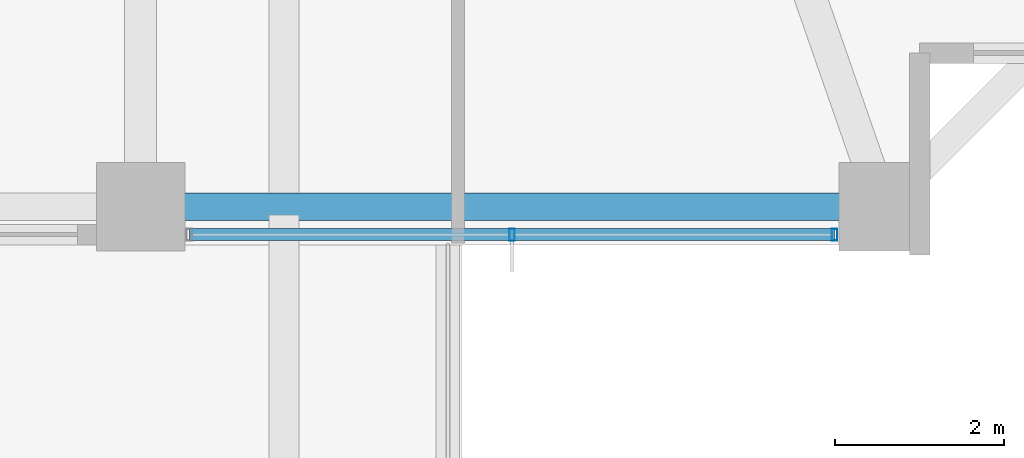
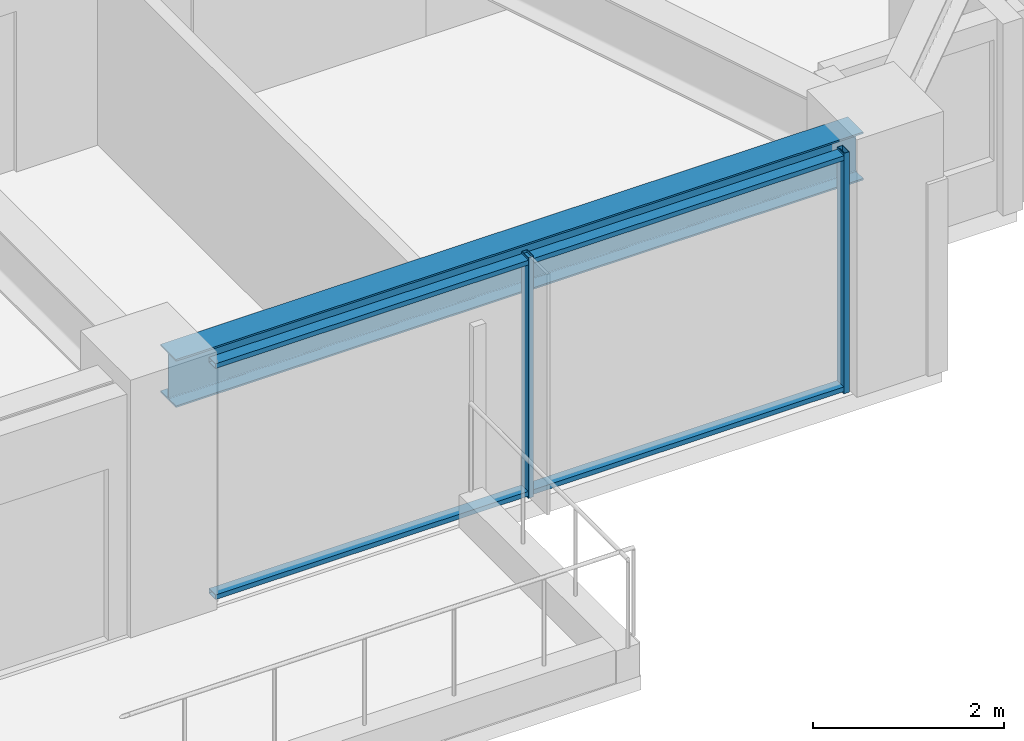
# One storey, part 10 of 38: 4 members, 1 beam, 1 element without a shape of its own.
"""IFC4 building model written with IfcOpenShell, lengths in metres."""

from ifc_helpers import new_model, si_unit, direction, frame, origin, origin_2d, place, context, subcontext, project, spatial, hollow_rectangle, i_section, extrude, material, material_profile, profile_set, type_object, element, aggregate, save


model = new_model("IFC4")

# Units and contexts
model_context = context("Model", 3, precision=1e-05, world=origin(), true_north=direction((0.0, 1.0)))
body_context = subcontext(model_context, "Body", "Model", "MODEL_VIEW")
ifc_project = project(units=[si_unit("LENGTHUNIT", "METRE"), si_unit("AREAUNIT", "SQUARE_METRE"), si_unit("VOLUMEUNIT", "CUBIC_METRE"), si_unit("PLANEANGLEUNIT", "RADIAN"), si_unit("MASSUNIT", "GRAM", prefix="KILO")], contexts=[model_context])

# Site, building, storey
site_placement = place(None, origin())
site = spatial("IfcSite", under=ifc_project, at=site_placement, CompositionType="ELEMENT")
building_placement = place(site_placement, origin())
building = spatial("IfcBuilding", under=site, at=building_placement, Name="Kolvaren Belvedere", CompositionType="ELEMENT")
storey_placement = place(building_placement, frame((0.0, 0.0, 101.89990234375)))
storey = spatial("IfcBuildingStorey", under=building, at=storey_placement, Name="L29", CompositionType="ELEMENT", Elevation=101.89990234375)

# Beam
ifc_material_1 = material(Name="Structural steel ASTM A992 Grade 50", Category="steel")
ifc_material_profile_1 = material_profile(ifc_material_1, i_section(OverallWidth=0.324951171875, OverallDepth=0.615966796875, WebThickness=0.013916015625, FlangeThickness=0.021484375, FilletRadius=0.02001953125, at=origin_2d()), Name="W24X117")
ifc_profile_set_1 = profile_set([ifc_material_profile_1], Name="Structural steel ASTM A992 Grade 50")
beam_type = type_object("IfcBeamType", Name="BM-SPAN-W24X117", PredefinedType="SPANDREL", material=ifc_profile_set_1)
beam_placement = place(storey_placement, frame((4.836181640625, -19.949951171875, 2.772216796875), z_axis=(1.0, 0.0, 0.0), x_axis=(0.0, 1.0, 0.0)))
element("IfcBeam", 1, at=beam_placement, inside=storey, type_object=beam_type, Name="L29 Perimeter Spandrel S3-S4", PredefinedType="SPANDREL", context=body_context, shape_type="SweptSolid", body=[
    extrude(i_section(OverallWidth=0.324951171875, OverallDepth=0.615966796875, WebThickness=0.013916015625, FlangeThickness=0.021484375, FilletRadius=0.02001953125, at=origin_2d()), origin(), (0.0, 0.0, 1.0), 8.32763671875),
])

# Curtain wall, members
ifc_material_2 = material(Name="Anodised pale-metal aluminium AA 6063-T6", Category="aluminium")
curtain_wall_type = type_object("IfcCurtainWallType", Name="CW-Z2-MID", PredefinedType="NOTDEFINED", material=ifc_material_2)
curtain_wall_placement = place(storey_placement, origin())
curtain_wall = element("IfcCurtainWall", 2, at=curtain_wall_placement, inside=storey, type_object=curtain_wall_type, Name="L29 Unitised Curtain Wall FCW-L29-S1", PredefinedType="NOTDEFINED")
ifc_material_3 = material(Name="Anodised pale-metal aluminium AA 6063-T6", Category="aluminium")
ifc_material_profile_2 = material_profile(ifc_material_3, hollow_rectangle(XDim=0.06494140625, YDim=0.139892578125, WallThickness=0.00390625, at=origin_2d()), Name="ALU-MUL-140X65")
ifc_profile_set_2 = profile_set([ifc_material_profile_2], Name="Anodised pale-metal aluminium AA 6063-T6")
member_type_1 = type_object("IfcMemberType", Name="CW-MUL-140", PredefinedType="MULLION", material=ifc_profile_set_2)
member_1_placement = place(storey_placement, frame((12.822509765625, -20.280029296875, 0.0), z_axis=(0.0, 0.0, 1.0), x_axis=(1.0, 0.0, 0.0)))
member_1 = element("IfcMember", 3, at=member_1_placement, type_object=member_type_1, Name="FCW-L29-S1 Unitised Mullion 1", PredefinedType="MULLION", context=body_context, shape_type="SweptSolid", body=[
    extrude(hollow_rectangle(XDim=0.06494140625, YDim=0.139892578125, WallThickness=0.00390625, at=origin_2d()), origin(), (0.0, 0.0, 1.0), 3.080078125),
])
member_2_placement = place(storey_placement, frame((9.0, -20.280029296875, 0.0), z_axis=(0.0, 0.0, 1.0), x_axis=(1.0, 0.0, 0.0)))
member_2 = element("IfcMember", 4, at=member_2_placement, type_object=member_type_1, Name="FCW-L29-S1 Unitised Mullion 2", PredefinedType="MULLION", context=body_context, shape_type="SweptSolid", body=[
    extrude(hollow_rectangle(XDim=0.06494140625, YDim=0.139892578125, WallThickness=0.00390625, at=origin_2d()), origin(), (0.0, 0.0, 1.0), 3.080078125),
])
ifc_material_4 = material(Name="Anodised pale-metal aluminium AA 6063-T6", Category="aluminium")
ifc_material_profile_3 = material_profile(ifc_material_4, hollow_rectangle(XDim=0.06005859375, YDim=0.139892578125, WallThickness=0.00390625, at=origin_2d()), Name="ALU-TRN-140X60")
ifc_profile_set_3 = profile_set([ifc_material_profile_3], Name="Anodised pale-metal aluminium AA 6063-T6")
member_type_2 = type_object("IfcMemberType", Name="CW-TRN-140", PredefinedType="USERDEFINED", material=ifc_profile_set_3)
member_3_placement = place(storey_placement, frame((12.822509765625, -20.280029296875, 0.06005859375), z_axis=(-1.0, 0.0, 0.0), x_axis=(0.0, 0.0, 1.0)))
member_3 = element("IfcMember", 5, at=member_3_placement, type_object=member_type_2, Name="FCW-L29-S1 Sill Transom", ObjectType="TRANSOM", PredefinedType="USERDEFINED", context=body_context, shape_type="SweptSolid", body=[
    extrude(hollow_rectangle(XDim=0.06005859375, YDim=0.139892578125, WallThickness=0.00390625, at=origin_2d()), origin(), (0.0, 0.0, 1.0), 7.64501953125),
])
member_4_placement = place(storey_placement, frame((12.822509765625, -20.280029296875, 3.02001953125), z_axis=(-1.0, 0.0, 0.0), x_axis=(0.0, 0.0, 1.0)))
member_4 = element("IfcMember", 6, at=member_4_placement, type_object=member_type_2, Name="FCW-L29-S1 Head Transom", ObjectType="TRANSOM", PredefinedType="USERDEFINED", context=body_context, shape_type="SweptSolid", body=[
    extrude(hollow_rectangle(XDim=0.06005859375, YDim=0.139892578125, WallThickness=0.00390625, at=origin_2d()), origin(), (0.0, 0.0, 1.0), 7.64501953125),
])
aggregate(curtain_wall, [member_1, member_2, member_3, member_4])

save(model, "model.ifc")
